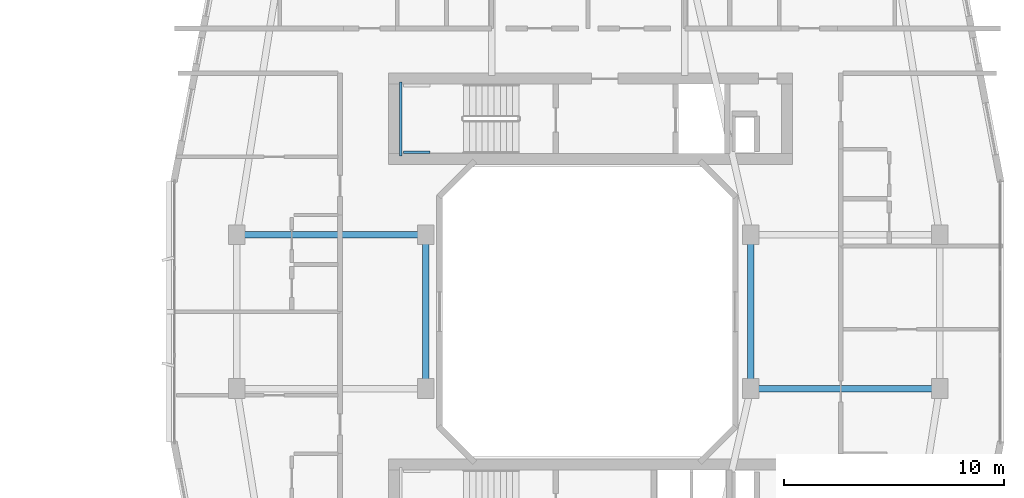
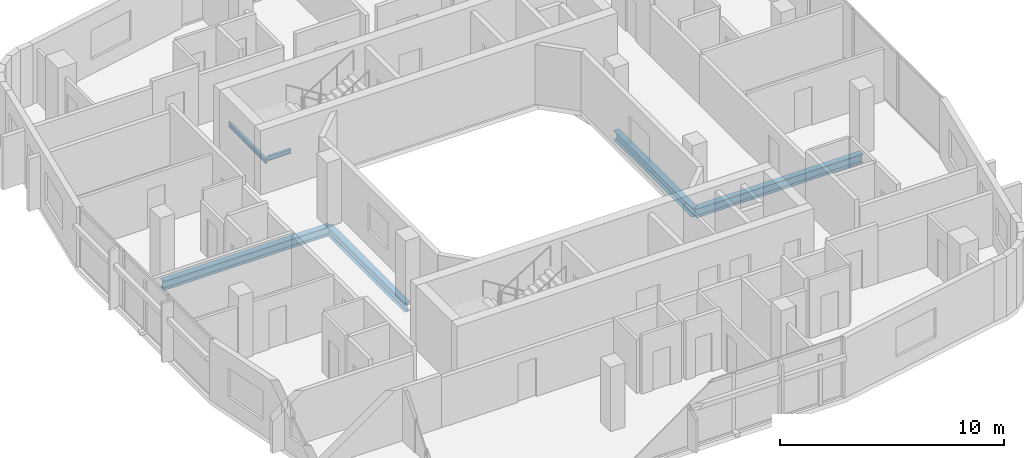
# One storey, part 9 of 26: 6 beams.
"""IFC4 building model written with IfcOpenShell, lengths in metres."""

from ifc_helpers import new_model, si_unit, derived_unit, direction, frame, origin, origin_2d, place, context, subcontext, project, spatial, i_section, extrude, material, material_profile, profile_set, type_object, element, save


model = new_model("IFC4")

# Units and contexts
model_context = context("Model", 3, precision=1e-05, world=origin(), true_north=direction((0.0, 1.0)))
body_context = subcontext(model_context, "Body", "Model", "MODEL_VIEW")
ifc_project = project(units=[si_unit("LENGTHUNIT", "METRE"), si_unit("AREAUNIT", "SQUARE_METRE"), si_unit("VOLUMEUNIT", "CUBIC_METRE"), si_unit("PLANEANGLEUNIT", "RADIAN"), si_unit("MASSUNIT", "GRAM", prefix="KILO"), derived_unit("THERMALTRANSMITTANCEUNIT", [(si_unit("POWERUNIT", "WATT"), 1), (si_unit("LENGTHUNIT", "METRE"), -2), (si_unit("THERMODYNAMICTEMPERATUREUNIT", "KELVIN"), -1)])], contexts=[model_context])

# Site, building, storey
site_placement = place(None, origin())
site = spatial("IfcSite", under=ifc_project, at=site_placement, CompositionType="ELEMENT")
building_placement = place(site_placement, origin())
building = spatial("IfcBuilding", under=site, at=building_placement, Name="Kivonza Crest Hotel", CompositionType="ELEMENT")
storey_placement = place(building_placement, frame((0.0, 0.0, 66.0)))
storey = spatial("IfcBuildingStorey", under=building, at=storey_placement, Name="L17", CompositionType="ELEMENT", Elevation=66.0)

# Beams
ifc_material = material(Name="Steel S355", Category="steel")
ifc_material_profile_1 = material_profile(ifc_material, i_section(OverallWidth=0.300048828125, OverallDepth=0.5, WebThickness=0.014404296875, FlangeThickness=0.028076171875, FilletRadius=0.027099609375, at=origin_2d()), Name="HEB 500")
ifc_profile_set_1 = profile_set([ifc_material_profile_1], Name="Steel S355")
beam_type_1 = type_object("IfcBeamType", Name="BM-HEB500", PredefinedType="BEAM", material=ifc_profile_set_1)
beam_1_placement = place(storey_placement, frame((61.0, 28.5, -0.5), z_axis=(1.0, 0.0, 0.0), x_axis=(0.0, 1.0, 0.0)))
element("IfcBeam", 1, at=beam_1_placement, inside=storey, type_object=beam_type_1, Name="Companion Tower T2 L17 girder W2-WL2", PredefinedType="BEAM", context=body_context, shape_type="SweptSolid", body=[
    extrude(i_section(OverallWidth=0.300048828125, OverallDepth=0.5, WebThickness=0.014404296875, FlangeThickness=0.028076171875, FilletRadius=0.027099609375, at=origin_2d()), origin(), (0.0, 0.0, 1.0), 8.60009765625),
])
beam_2_placement = place(storey_placement, frame((69.60009765625, 21.5, -0.5), z_axis=(0.0, 1.0, 0.0), x_axis=(-1.0, 0.0, 0.0)))
element("IfcBeam", 2, at=beam_2_placement, inside=storey, type_object=beam_type_1, Name="Companion Tower T2 L17 girder WL1-WL2", PredefinedType="BEAM", context=body_context, shape_type="SweptSolid", body=[
    extrude(i_section(OverallWidth=0.300048828125, OverallDepth=0.5, WebThickness=0.014404296875, FlangeThickness=0.028076171875, FilletRadius=0.027099609375, at=origin_2d()), origin(), (0.0, 0.0, 1.0), 7.0),
])
beam_3_placement = place(storey_placement, frame((84.39990234375, 21.5, -0.5), z_axis=(1.0, 0.0, 0.0), x_axis=(0.0, 1.0, 0.0)))
element("IfcBeam", 3, at=beam_3_placement, inside=storey, type_object=beam_type_1, Name="Companion Tower T2 L17 girder WR1-E1", PredefinedType="BEAM", context=body_context, shape_type="SweptSolid", body=[
    extrude(i_section(OverallWidth=0.300048828125, OverallDepth=0.5, WebThickness=0.014404296875, FlangeThickness=0.028076171875, FilletRadius=0.027099609375, at=origin_2d()), origin(), (0.0, 0.0, 1.0), 8.60009765625),
])
beam_4_placement = place(storey_placement, frame((84.39990234375, 21.5, -0.5), z_axis=(0.0, 1.0, 0.0), x_axis=(-1.0, 0.0, 0.0)))
element("IfcBeam", 4, at=beam_4_placement, inside=storey, type_object=beam_type_1, Name="Companion Tower T2 L17 girder WR1-WR2", PredefinedType="BEAM", context=body_context, shape_type="SweptSolid", body=[
    extrude(i_section(OverallWidth=0.300048828125, OverallDepth=0.5, WebThickness=0.014404296875, FlangeThickness=0.028076171875, FilletRadius=0.027099609375, at=origin_2d()), origin(), (0.0, 0.0, 1.0), 7.0),
])
ifc_material_profile_2 = material_profile(ifc_material, i_section(OverallWidth=0.1201171875, OverallDepth=0.239990234375, WebThickness=0.006103515625, FlangeThickness=0.009765625, FilletRadius=0.014892578125, at=origin_2d()), Name="IPE 240")
ifc_profile_set_2 = profile_set([ifc_material_profile_2], Name="Steel S355")
beam_type_2 = type_object("IfcBeamType", Name="BM-LLDG-240", PredefinedType="BEAM", material=ifc_profile_set_2)
beam_5_placement = place(storey_placement, frame((68.4599609375, 32.10009765625, 1.429931640625), z_axis=(0.0, 1.0, 0.0), x_axis=(-1.0, 0.0, 0.0)))
element("IfcBeam", 5, at=beam_5_placement, inside=storey, type_object=beam_type_2, Name="Stair ST-T2-N L17 West landing corbel", PredefinedType="BEAM", context=body_context, shape_type="SweptSolid", body=[
    extrude(i_section(OverallWidth=0.1201171875, OverallDepth=0.239990234375, WebThickness=0.006103515625, FlangeThickness=0.009765625, FilletRadius=0.014892578125, at=origin_2d()), origin(), (0.0, 0.0, 1.0), 3.35986328125),
])
beam_6_placement = place(storey_placement, frame((68.590087890625, 32.260009765625, 1.429931640625), z_axis=(1.0, 0.0, 0.0), x_axis=(0.0, 1.0, 0.0)))
element("IfcBeam", 6, at=beam_6_placement, inside=storey, type_object=beam_type_2, Name="Stair ST-T2-N L17 South landing corbel", PredefinedType="BEAM", context=body_context, shape_type="SweptSolid", body=[
    extrude(i_section(OverallWidth=0.1201171875, OverallDepth=0.239990234375, WebThickness=0.006103515625, FlangeThickness=0.009765625, FilletRadius=0.014892578125, at=origin_2d()), origin(), (0.0, 0.0, 1.0), 1.2099609375),
])

save(model, "model.ifc")
